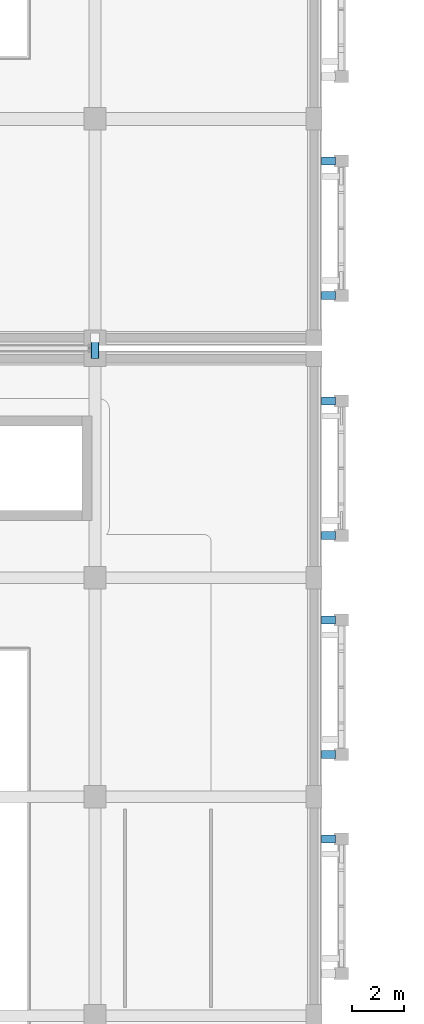
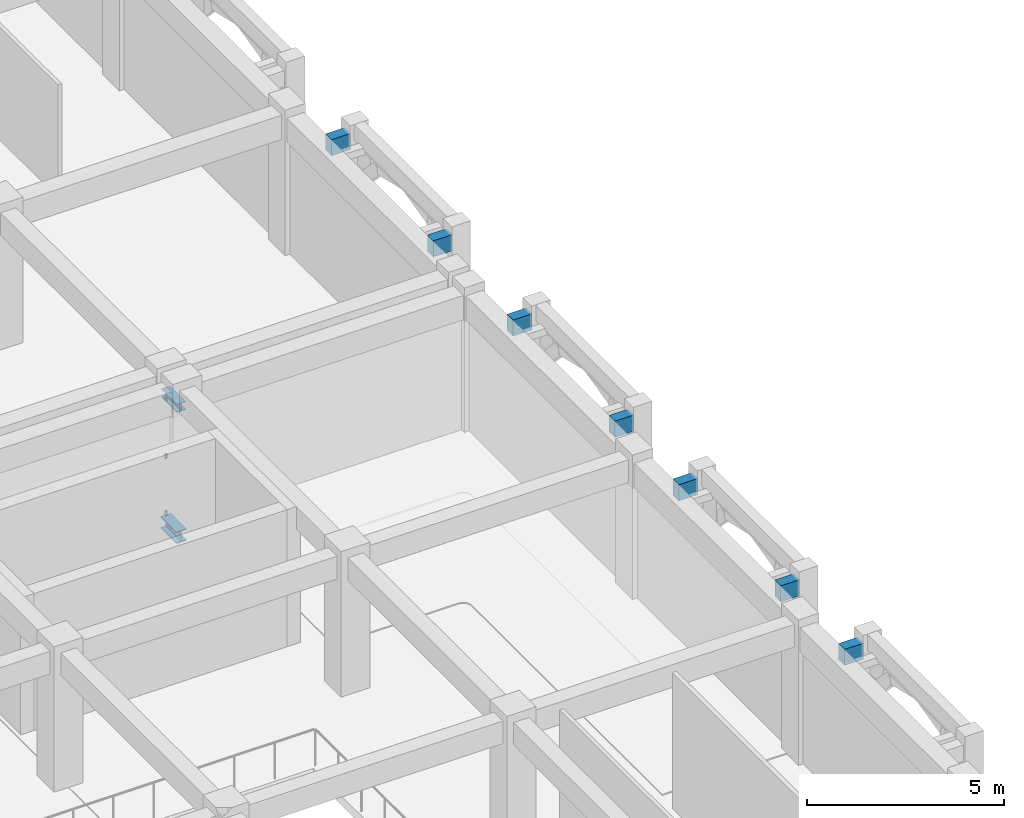
# One storey, part 77 of 129: 9 beams, 3 members, 1 element without a shape of its own.
"""IFC4 building model written with IfcOpenShell, lengths in metres."""

from ifc_helpers import new_model, si_unit, direction, frame, origin, origin_2d, place, context, subcontext, project, spatial, rectangle, hollow_rectangle, i_section, extrude, material, layer, layer_set, material_profile, profile_set, type_object, element, aggregate, save


model = new_model("IFC4")

# Units and contexts
model_context = context("Model", 3, precision=1e-05, world=origin(), true_north=direction((0.0, 1.0)))
body_context = subcontext(model_context, "Body", "Model", "MODEL_VIEW")
ifc_project = project(units=[si_unit("LENGTHUNIT", "METRE"), si_unit("AREAUNIT", "SQUARE_METRE"), si_unit("VOLUMEUNIT", "CUBIC_METRE"), si_unit("PLANEANGLEUNIT", "RADIAN"), si_unit("MASSUNIT", "GRAM", prefix="KILO")], contexts=[model_context])

# Site, building, storey
site_placement = place(None, origin())
site = spatial("IfcSite", under=ifc_project, at=site_placement, CompositionType="ELEMENT")
building_placement = place(site_placement, origin())
building = spatial("IfcBuilding", under=site, at=building_placement, Name="Xazarin Passage Department Store", CompositionType="ELEMENT")
storey_placement = place(building_placement, frame((0.0, 0.0, 9.89990234375)))
storey = spatial("IfcBuildingStorey", under=building, at=storey_placement, Name="L02", CompositionType="ELEMENT", Elevation=9.89990234375)

# Curtain wall, members
ifc_material_1 = material(Name="Bronze anodised aluminium", Category="aluminium")
ifc_layer = layer(ifc_material_1, 0.14990234375)
ifc_layer_set = layer_set([ifc_layer], Name="Bronze anodised aluminium")
curtain_wall_type = type_object("IfcCurtainWallType", Name="ARC-CW-BRG1", PredefinedType="NOTDEFINED", material=ifc_layer_set)
curtain_wall_placement = place(storey_placement, origin())
curtain_wall = element("IfcCurtainWall", 1, at=curtain_wall_placement, inside=storey, type_object=curtain_wall_type, Name="L02 BR-V2S-V2N Bridge Curtain Wall 2", PredefinedType="NOTDEFINED")
ifc_material_profile_1 = material_profile(ifc_material_1, hollow_rectangle(XDim=0.06494140625, YDim=0.139892578125, WallThickness=0.00390625, at=origin_2d()), Name="ALU 65x140")
ifc_profile_set_1 = profile_set([ifc_material_profile_1], Name="Bronze anodised aluminium")
member_type = type_object("IfcMemberType", Name="ARC-CWT-65x140", PredefinedType="USERDEFINED", material=ifc_profile_set_1)
member_1_placement = place(storey_placement, frame((92.97998046875, 50.77490234375, 0.03271484375), z_axis=(0.0, 1.0, 0.0), x_axis=(-1.0, 0.0, 0.0)))
member_1 = element("IfcMember", 2, at=member_1_placement, type_object=member_type, Name="CW7 transom 1.1", ObjectType="TRANSOM", PredefinedType="USERDEFINED", context=body_context, shape_type="SweptSolid", body=[
    extrude(hollow_rectangle(XDim=0.06494140625, YDim=0.139892578125, WallThickness=0.00390625, at=origin_2d()), origin(), (0.0, 0.0, 1.0), 0.050048828125),
])
member_2_placement = place(storey_placement, frame((92.97998046875, 50.77490234375, 1.800048828125), z_axis=(0.0, 1.0, 0.0), x_axis=(-1.0, 0.0, 0.0)))
member_2 = element("IfcMember", 3, at=member_2_placement, type_object=member_type, Name="CW7 transom 1.2", ObjectType="TRANSOM", PredefinedType="USERDEFINED", context=body_context, shape_type="SweptSolid", body=[
    extrude(hollow_rectangle(XDim=0.06494140625, YDim=0.139892578125, WallThickness=0.00390625, at=origin_2d()), origin(), (0.0, 0.0, 1.0), 0.050048828125),
])
member_3_placement = place(storey_placement, frame((92.97998046875, 50.77490234375, 3.567626953125), z_axis=(0.0, 1.0, 0.0), x_axis=(-1.0, 0.0, 0.0)))
member_3 = element("IfcMember", 4, at=member_3_placement, type_object=member_type, Name="CW7 transom 1.3", ObjectType="TRANSOM", PredefinedType="USERDEFINED", context=body_context, shape_type="SweptSolid", body=[
    extrude(hollow_rectangle(XDim=0.06494140625, YDim=0.139892578125, WallThickness=0.00390625, at=origin_2d()), origin(), (0.0, 0.0, 1.0), 0.050048828125),
])
aggregate(curtain_wall, [member_1, member_2, member_3])

# Beams
ifc_material_2 = material(Name="Steel S355", Category="steel")
ifc_material_profile_2 = material_profile(ifc_material_2, i_section(OverallWidth=0.300048828125, OverallDepth=0.360107421875, WebThickness=0.012451171875, FlangeThickness=0.0224609375, FilletRadius=0.027099609375, at=origin_2d()), Name="HEB 360")
ifc_profile_set_2 = profile_set([ifc_material_profile_2], Name="Steel S355")
beam_type_1 = type_object("IfcBeamType", Name="STR-BM-BR360", PredefinedType="BEAM", material=ifc_profile_set_2)
beam_1_placement = place(storey_placement, frame((93.199951171875, 50.39990234375, -0.52001953125), z_axis=(0.0, 1.0, 0.0), x_axis=(-1.0, 0.0, 0.0)))
element("IfcBeam", 5, at=beam_1_placement, inside=storey, type_object=beam_type_1, Name="L02 BR-V2S-V2N Bridge Girder B", PredefinedType="BEAM", context=body_context, shape_type="SweptSolid", body=[
    extrude(i_section(OverallWidth=0.300048828125, OverallDepth=0.360107421875, WebThickness=0.012451171875, FlangeThickness=0.0224609375, FilletRadius=0.027099609375, at=origin_2d()), origin(), (0.0, 0.0, 1.0), 0.800048828125),
])
ifc_material_profile_3 = material_profile(ifc_material_2, i_section(OverallWidth=0.260009765625, OverallDepth=0.25, WebThickness=0.007568359375, FlangeThickness=0.012451171875, FilletRadius=0.02392578125, at=origin_2d()), Name="HEA 260")
ifc_profile_set_3 = profile_set([ifc_material_profile_3], Name="Steel S355")
beam_type_2 = type_object("IfcBeamType", Name="STR-BM-CAN260", PredefinedType="BEAM", material=ifc_profile_set_3)
beam_2_placement = place(storey_placement, frame((93.199951171875, 50.39990234375, 3.47509765625), z_axis=(0.0, 1.0, 0.0), x_axis=(-1.0, 0.0, 0.0)))
element("IfcBeam", 6, at=beam_2_placement, inside=storey, type_object=beam_type_2, Name="L02 BR-V2S-V2N Bridge Roof Beam B", PredefinedType="BEAM", context=body_context, shape_type="SweptSolid", body=[
    extrude(i_section(OverallWidth=0.260009765625, OverallDepth=0.25, WebThickness=0.007568359375, FlangeThickness=0.012451171875, FilletRadius=0.02392578125, at=origin_2d()), origin(), (0.0, 0.0, 1.0), 0.800048828125),
])
ifc_material_3 = material(Name="Concrete C35/45", Category="concrete")
ifc_material_profile_4 = material_profile(ifc_material_3, rectangle(XDim=0.300048828125, YDim=0.5, at=origin_2d()), Name="RC 300x500")
ifc_profile_set_4 = profile_set([ifc_material_profile_4], Name="Concrete C35/45")
beam_type_3 = type_object("IfcBeamType", Name="STR-BM-LN300x500", PredefinedType="LINTEL", material=ifc_profile_set_4)
for number, where, z_axis, x_axis, name in (
    (7, (101.8798828125, 31.97998046875, 3.9501953125), (1.0, 0.0, 0.0), (0.0, 1.0, 0.0), "L02 V2S Colonnade Tie Rib 021R"),
    (8, (101.8798828125, 35.219970703125, 3.9501953125), (1.0, 0.0, 0.0), (0.0, 1.0, 0.0), "L02 V2S Colonnade Tie Rib 022L"),
    (9, (101.8798828125, 40.3798828125, 3.9501953125), (1.0, 0.0, 0.0), (0.0, 1.0, 0.0), "L02 V2S Colonnade Tie Rib 022R"),
    (10, (101.8798828125, 43.6201171875, 3.9501953125), (1.0, 0.0, 0.0), (0.0, 1.0, 0.0), "L02 V2S Colonnade Tie Rib 023L"),
    (11, (101.8798828125, 48.780029296875, 3.9501953125), (1.0, 0.0, 0.0), (0.0, 1.0, 0.0), "L02 V2S Colonnade Tie Rib 023R"),
    (12, (101.8798828125, 52.820068359375, 3.9501953125), (1.0, 0.0, 0.0), (0.0, 1.0, 0.0), "L02 V2N Colonnade Tie Rib 024L"),
    (13, (101.8798828125, 57.97998046875, 3.9501953125), (1.0, 0.0, 0.0), (0.0, 1.0, 0.0), "L02 V2N Colonnade Tie Rib 024R"),
):
    element("IfcBeam", number, at=place(storey_placement, frame(where, z_axis=z_axis, x_axis=x_axis)), inside=storey, type_object=beam_type_3, Name=name, PredefinedType="LINTEL", context=body_context, shape_type="SweptSolid", body=[
        extrude(rectangle(XDim=0.300048828125, YDim=0.5, at=origin_2d()), origin(), (0.0, 0.0, 1.0), 0.550048828125),
    ])

save(model, "model.ifc")
